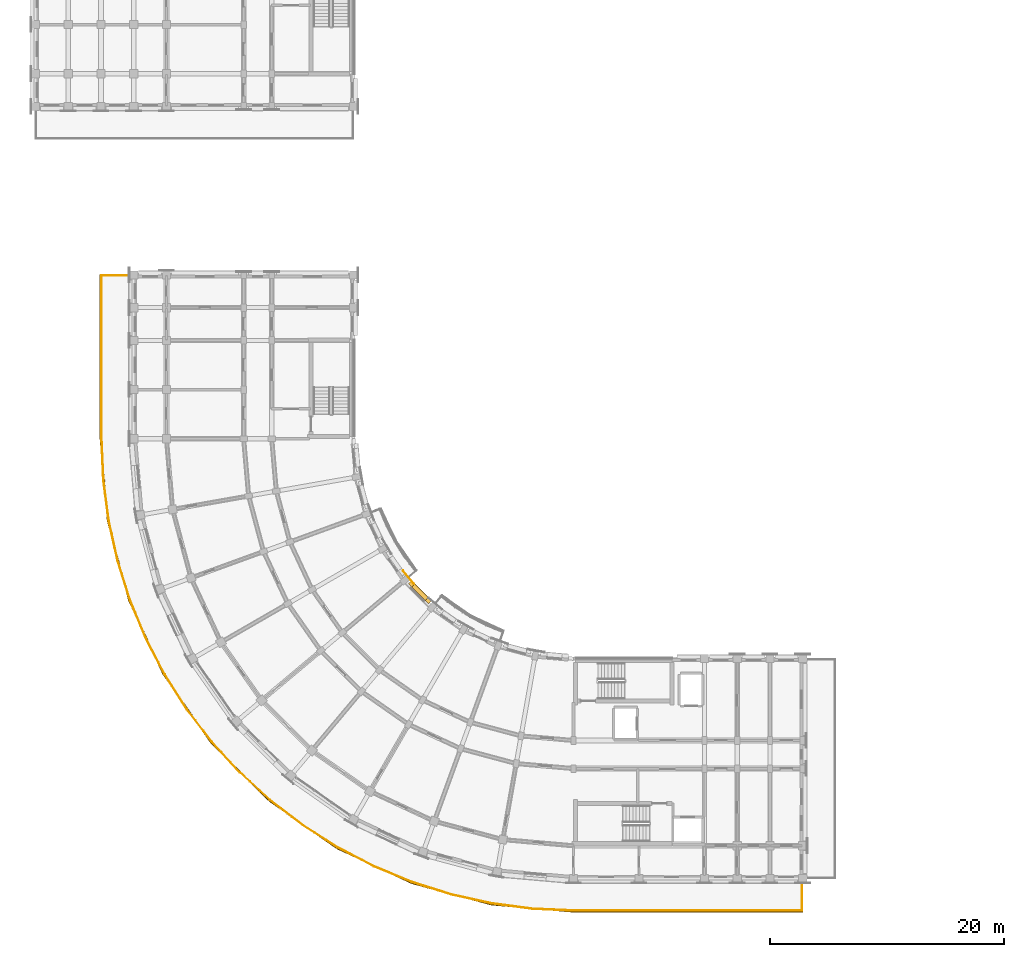
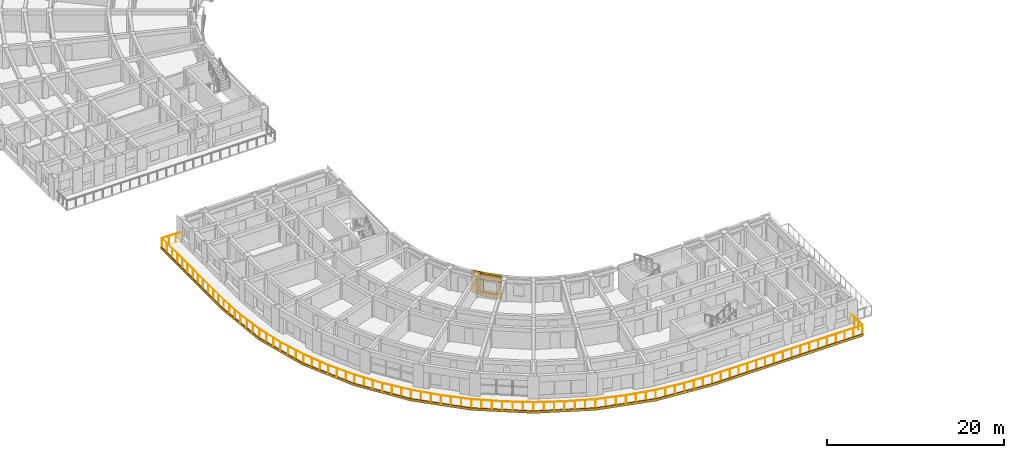
# One storey, part 40 of 54: 6 coverings, 1 railing.
"""IFC4 building model written with IfcOpenShell, lengths in metres."""

from ifc_helpers import new_model, si_unit, direction, frame, origin, origin_2d, place, context, subcontext, project, spatial, polyline, circle, outline, extrude, material, layer, layer_set, type_object, element, save


model = new_model("IFC4")

# Units and contexts
model_context = context("Model", 3, precision=1e-05, world=origin(), true_north=direction((0.0, 1.0)))
body_context = subcontext(model_context, "Body", "Model", "MODEL_VIEW")
ifc_project = project(units=[si_unit("LENGTHUNIT", "METRE"), si_unit("AREAUNIT", "SQUARE_METRE"), si_unit("VOLUMEUNIT", "CUBIC_METRE"), si_unit("PLANEANGLEUNIT", "RADIAN"), si_unit("MASSUNIT", "GRAM", prefix="KILO")], contexts=[model_context])

# Site, building, storey
site_placement = place(None, origin())
site = spatial("IfcSite", under=ifc_project, at=site_placement, CompositionType="ELEMENT")
building_placement = place(site_placement, origin())
building = spatial("IfcBuilding", under=site, at=building_placement, Name="Kiranvali Square Residences", CompositionType="ELEMENT")
storey_placement = place(building_placement, frame((0.0, 0.0, 27.60009765625)))
storey = spatial("IfcBuildingStorey", under=building, at=storey_placement, Name="L08", CompositionType="ELEMENT", Elevation=27.60009765625)

# Coverings
ifc_material_1 = material(Name="Carved Porbandar limestone classical entablature and cornice", Category="masonry")
ifc_layer_1 = layer(ifc_material_1, 0.449951171875)
ifc_layer_set_1 = layer_set([ifc_layer_1], Name="Carved Porbandar limestone classical entablature and cornice")
covering_type_1 = type_object("IfcCoveringType", Name="COV-CLAD-CORN", PredefinedType="CLADDING", material=ifc_layer_set_1)
covering_1_placement = place(storey_placement, frame((0.0, 0.0, -0.280029296875)))
element("IfcCovering", 1, at=covering_1_placement, inside=storey, type_object=covering_type_1, Name="Block C L08 stepped curved terrace stone cornice band", PredefinedType="CLADDING", context=body_context, shape_type="SweptSolid", body=[
    extrude(outline(polyline([(67.800048828125, 7.798095703125), (48.199951171875, 7.798095703125), (41.184326171875, 8.411865234375), (34.381591796875, 10.234619140625), (27.9990234375, 13.2109375), (22.22998046875, 17.250244140625), (17.250244140625, 22.22998046875), (13.2109375, 27.9990234375), (10.234619140625, 34.381591796875), (8.411865234375, 41.184326171875), (7.798095703125, 48.199951171875), (7.798095703125, 62.199951171875), (7.715087890625, 62.199951171875), (7.715087890625, 48.199951171875), (8.330078125, 41.169921875), (10.156494140625, 34.353271484375), (13.138916015625, 27.95751953125), (17.186767578125, 22.1767578125), (22.1767578125, 17.186767578125), (27.95751953125, 13.138916015625), (34.353271484375, 10.156494140625), (41.169921875, 8.330078125), (48.199951171875, 7.715087890625), (67.800048828125, 7.715087890625), (67.800048828125, 7.798095703125)])), origin(), (0.0, 0.0, 1.0), 0.35986328125),
])
ifc_material_2 = material(Name="Honed Porbandar limestone ashlar facade cladding", Category="masonry")
ifc_layer_2 = layer(ifc_material_2, 0.3798828125)
ifc_layer_set_2 = layer_set([ifc_layer_2], Name="Honed Porbandar limestone ashlar facade cladding")
covering_type_2 = type_object("IfcCoveringType", Name="COV-CLAD-JAMB", PredefinedType="CLADDING", material=ifc_layer_set_2)
covering_2_placement = place(storey_placement, frame((0.0, 0.0, 0.671875)))
element("IfcCovering", 2, at=covering_2_placement, inside=storey, type_object=covering_type_2, Name="L08 deep limestone window jamb reveal C-L08-GDN-04.L", PredefinedType="CLADDING", context=body_context, shape_type="SweptSolid", body=[
    extrude(outline(polyline([(36.044921875, 34.349853515625), (35.78076171875, 34.614013671875), (35.540771484375, 34.3740234375), (35.804931640625, 34.10986328125), (36.044921875, 34.349853515625)])), origin(), (0.0, 0.0, 1.0), 1.60009765625),
])
covering_3_placement = place(storey_placement, frame((0.0, 0.0, 0.671875)))
element("IfcCovering", 3, at=covering_3_placement, inside=storey, type_object=covering_type_2, Name="L08 deep limestone window jamb reveal C-L08-GDN-04.R", PredefinedType="CLADDING", context=body_context, shape_type="SweptSolid", body=[
    extrude(outline(polyline([(34.614013671875, 35.78076171875), (34.349853515625, 36.044921875), (34.10986328125, 35.804931640625), (34.3740234375, 35.540771484375), (34.614013671875, 35.78076171875)])), origin(), (0.0, 0.0, 1.0), 1.60009765625),
])
ifc_layer_3 = layer(ifc_material_2, 0.050048828125)
ifc_layer_set_3 = layer_set([ifc_layer_3], Name="Honed Porbandar limestone ashlar facade cladding")
covering_type_3 = type_object("IfcCoveringType", Name="COV-CLAD-PIER-IN", PredefinedType="CLADDING", material=ifc_layer_set_3)
covering_4_placement = place(storey_placement, frame((0.0, 0.0, 0.0048828125)))
element("IfcCovering", 4, at=covering_4_placement, inside=storey, type_object=covering_type_3, Name="L08 Classical garden courtyard pilaster CLAD-PRIN-C-L08-A05", PredefinedType="CLADDING", context=body_context, shape_type="SweptSolid", body=[
    extrude(outline(polyline([(34.6005859375, 35.809814453125), (33.636474609375, 36.958740234375), (33.584716796875, 36.91552734375), (34.548828125, 35.766357421875), (34.6005859375, 35.809814453125)])), origin(), (0.0, 0.0, 1.0), 3.14013671875),
])
ifc_layer_4 = layer(ifc_material_2, 0.360107421875)
ifc_layer_set_4 = layer_set([ifc_layer_4], Name="Honed Porbandar limestone ashlar facade cladding")
covering_type_4 = type_object("IfcCoveringType", Name="COV-CLAD-WALL", PredefinedType="CLADDING", material=ifc_layer_set_4)
covering_5_placement = place(storey_placement, frame((0.0, 0.0, 2.27197265625)))
element("IfcCovering", 5, at=covering_5_placement, inside=storey, type_object=covering_type_4, Name="L08 light limestone spandrel lintel C-L08-GDN-04", PredefinedType="CLADDING", context=body_context, shape_type="SweptSolid", body=[
    extrude(outline(polyline([(36.044921875, 34.349853515625), (34.349853515625, 36.044921875), (34.10986328125, 35.804931640625), (35.804931640625, 34.10986328125), (36.044921875, 34.349853515625)])), origin(), (0.0, 0.0, 1.0), 0.873046875),
])
ifc_layer_5 = layer(ifc_material_2, 0.2900390625)
ifc_layer_set_5 = layer_set([ifc_layer_5], Name="Honed Porbandar limestone ashlar facade cladding")
covering_type_5 = type_object("IfcCoveringType", Name="COV-CLAD-WALL-IN", PredefinedType="CLADDING", material=ifc_layer_set_5)
covering_6_placement = place(storey_placement, frame((0.0, 0.0, 0.0048828125)))
element("IfcCovering", 6, at=covering_6_placement, inside=storey, type_object=covering_type_5, Name="L08 limestone window sill apron C-L08-GDN-04", PredefinedType="CLADDING", context=body_context, shape_type="SweptSolid", body=[
    extrude(outline(polyline([(36.066162109375, 34.37109375), (34.37109375, 36.066162109375), (34.10986328125, 35.804931640625), (35.804931640625, 34.10986328125), (36.066162109375, 34.37109375)])), origin(), (0.0, 0.0, 1.0), 0.6669921875),
])

# Railing
ifc_material_3 = material(Name="Powder-coated architectural bronze balustrade", Category="steel")
railing_type = type_object("IfcRailingType", Name="RL-TER-GOLD-1200", PredefinedType="BALUSTRADE", material=ifc_material_3)
railing_placement = place(storey_placement, frame((67.75, 10.56005859375, 0.0)))
element("IfcRailing", 7, at=railing_placement, inside=storey, type_object=railing_type, Name="Block C L08 stepped curved corner terrace gold balustrade", PredefinedType="BALUSTRADE", context=body_context, shape_type="SweptSolid", body=[
    extrude(circle(Radius=0.02392578125, at=origin_2d()), frame((0.0, 0.0, 1.17578125), z_axis=(0.0, -1.0, 0.0), x_axis=(1.0, 0.0, 0.0)), (0.0, 0.0, 1.0), 2.699951171875),
    extrude(circle(Radius=0.02392578125, at=origin_2d()), frame((0.0, -2.699951171875, 1.17578125), z_axis=(-1.0, 0.0, 0.0), x_axis=(0.0, -1.0, 0.0)), (0.0, 0.0, 1.0), 19.550048828125),
    extrude(circle(Radius=0.02392578125, at=origin_2d()), frame((-19.550048828125, -2.699951171875, 1.17578125), z_axis=(-0.999050521536, 0.043566677837, 0.0), x_axis=(-0.043566677837, -0.999050521536, 0.0)), (0.0, 0.0, 1.0), 3.519287109375),
    extrude(circle(Radius=0.02392578125, at=origin_2d()), frame((-23.06591796875, -2.546630859375, 1.17578125), z_axis=(-0.991439885542, 0.130563981848, 0.0), x_axis=(-0.130563981848, -0.991439885542, 0.0)), (0.0, 0.0, 1.0), 3.51904296875),
    extrude(circle(Radius=0.02392578125, at=origin_2d()), frame((-26.554931640625, -2.087158203125, 1.17578125), z_axis=(-0.976294672922, 0.216445632027, 0.0), x_axis=(-0.216445632027, -0.976294672922, 0.0)), (0.0, 0.0, 1.0), 3.519287109375),
    extrude(circle(Radius=0.02392578125, at=origin_2d()), frame((-29.99072265625, -1.325439453125, 1.17578125), z_axis=(-0.95373142835, 0.300659878562, 0.0), x_axis=(-0.300659878562, -0.95373142835, 0.0)), (0.0, 0.0, 1.0), 3.519287109375),
    extrude(circle(Radius=0.02392578125, at=origin_2d()), frame((-33.34716796875, -0.267333984375, 1.17578125), z_axis=(-0.923857014911, 0.382737790138, 0.0), x_axis=(-0.382737790138, -0.923857014911, 0.0)), (0.0, 0.0, 1.0), 3.519287109375),
    extrude(circle(Radius=0.02392578125, at=origin_2d()), frame((-36.598388671875, 1.07958984375, 1.17578125), z_axis=(-0.887009989526, 0.461750233872, 0.0), x_axis=(-0.461750233872, -0.887009989526, 0.0)), (0.0, 0.0, 1.0), 3.519287109375),
    extrude(circle(Radius=0.02392578125, at=origin_2d()), frame((-39.719970703125, 2.70458984375, 1.17578125), z_axis=(-0.843387143915, 0.537306360913, 0.0), x_axis=(-0.537306360913, -0.843387143915, 0.0)), (0.0, 0.0, 1.0), 3.51904296875),
    extrude(circle(Radius=0.02392578125, at=origin_2d()), frame((-42.68798828125, 4.595458984375, 1.17578125), z_axis=(-0.793358414071, 0.608754816673, 0.0), x_axis=(-0.608754816673, -0.793358414071, 0.0)), (0.0, 0.0, 1.0), 3.519287109375),
    extrude(circle(Radius=0.02392578125, at=origin_2d()), frame((-45.47998046875, 6.73779296875, 1.17578125), z_axis=(-0.737303864614, 0.675561256456, 0.0), x_axis=(-0.675561256456, -0.737303864614, 0.0)), (0.0, 0.0, 1.0), 3.519287109375),
    extrude(circle(Radius=0.02392578125, at=origin_2d()), frame((-48.07470703125, 9.115234375, 1.17578125), z_axis=(-0.675561256456, 0.737303864614, 0.0), x_axis=(-0.737303864614, -0.675561256456, 0.0)), (0.0, 0.0, 1.0), 3.519287109375),
    extrude(circle(Radius=0.02392578125, at=origin_2d()), frame((-50.4521484375, 11.7099609375, 1.17578125), z_axis=(-0.608754816673, 0.793358414071, 0.0), x_axis=(-0.793358414071, -0.608754816673, 0.0)), (0.0, 0.0, 1.0), 3.519287109375),
    extrude(circle(Radius=0.02392578125, at=origin_2d()), frame((-52.594482421875, 14.501953125, 1.17578125), z_axis=(-0.537306360913, 0.843387143915, 0.0), x_axis=(-0.843387143915, -0.537306360913, 0.0)), (0.0, 0.0, 1.0), 3.51904296875),
    extrude(circle(Radius=0.02392578125, at=origin_2d()), frame((-54.4853515625, 17.469970703125, 1.17578125), z_axis=(-0.461750233872, 0.887009989526, 0.0), x_axis=(-0.887009989526, -0.461750233872, 0.0)), (0.0, 0.0, 1.0), 3.519287109375),
    extrude(circle(Radius=0.02392578125, at=origin_2d()), frame((-56.1103515625, 20.591552734375, 1.17578125), z_axis=(-0.382737790138, 0.923857014911, 0.0), x_axis=(-0.923857014911, -0.382737790138, 0.0)), (0.0, 0.0, 1.0), 3.519287109375),
    extrude(circle(Radius=0.02392578125, at=origin_2d()), frame((-57.457275390625, 23.8427734375, 1.17578125), z_axis=(-0.300659878562, 0.95373142835, 0.0), x_axis=(-0.95373142835, -0.300659878562, 0.0)), (0.0, 0.0, 1.0), 3.519287109375),
    extrude(circle(Radius=0.02392578125, at=origin_2d()), frame((-58.515380859375, 27.19921875, 1.17578125), z_axis=(-0.216445632027, 0.976294672922, 0.0), x_axis=(-0.976294672922, -0.216445632027, 0.0)), (0.0, 0.0, 1.0), 3.519287109375),
    extrude(circle(Radius=0.02392578125, at=origin_2d()), frame((-59.277099609375, 30.635009765625, 1.17578125), z_axis=(-0.130563981848, 0.991439885542, 0.0), x_axis=(-0.991439885542, -0.130563981848, 0.0)), (0.0, 0.0, 1.0), 3.51904296875),
    extrude(circle(Radius=0.02392578125, at=origin_2d()), frame((-59.736572265625, 34.1240234375, 1.17578125), z_axis=(-0.043566677837, 0.999050521536, 0.0), x_axis=(-0.999050521536, -0.043566677837, 0.0)), (0.0, 0.0, 1.0), 3.519287109375),
    extrude(circle(Radius=0.02392578125, at=origin_2d()), frame((-59.889892578125, 37.639892578125, 1.17578125), z_axis=(0.0, 1.0, 0.0), x_axis=(-1.0, 0.0, 0.0)), (0.0, 0.0, 1.0), 13.949951171875),
    extrude(circle(Radius=0.02392578125, at=origin_2d()), frame((-59.889892578125, 51.58984375, 1.17578125), z_axis=(1.0, 0.0, 0.0), x_axis=(0.0, 1.0, 0.0)), (0.0, 0.0, 1.0), 2.699951171875),
    extrude(circle(Radius=0.02099609375, at=origin_2d()), origin(), (0.0, 0.0, 1.0), 1.15185546875),
    extrude(circle(Radius=0.02099609375, at=origin_2d()), frame((0.0, -0.89990234375, 0.0)), (0.0, 0.0, 1.0), 1.15185546875),
    extrude(circle(Radius=0.02099609375, at=origin_2d()), frame((0.0, -1.800048828125, 0.0)), (0.0, 0.0, 1.0), 1.15185546875),
    extrude(circle(Radius=0.02099609375, at=origin_2d()), frame((0.0, -2.699951171875, 0.0)), (0.0, 0.0, 1.0), 1.15185546875),
    extrude(circle(Radius=0.02099609375, at=origin_2d()), frame((-1.14990234375, -2.699951171875, 0.0)), (0.0, 0.0, 1.0), 1.15185546875),
    extrude(circle(Radius=0.02099609375, at=origin_2d()), frame((-2.300048828125, -2.699951171875, 0.0)), (0.0, 0.0, 1.0), 1.15185546875),
    extrude(circle(Radius=0.02099609375, at=origin_2d()), frame((-3.449951171875, -2.699951171875, 0.0)), (0.0, 0.0, 1.0), 1.15185546875),
    extrude(circle(Radius=0.02099609375, at=origin_2d()), frame((-4.60009765625, -2.699951171875, 0.0)), (0.0, 0.0, 1.0), 1.15185546875),
    extrude(circle(Radius=0.02099609375, at=origin_2d()), frame((-5.75, -2.699951171875, 0.0)), (0.0, 0.0, 1.0), 1.15185546875),
    extrude(circle(Radius=0.02099609375, at=origin_2d()), frame((-6.89990234375, -2.699951171875, 0.0)), (0.0, 0.0, 1.0), 1.15185546875),
    extrude(circle(Radius=0.02099609375, at=origin_2d()), frame((-8.050048828125, -2.699951171875, 0.0)), (0.0, 0.0, 1.0), 1.15185546875),
    extrude(circle(Radius=0.02099609375, at=origin_2d()), frame((-9.199951171875, -2.699951171875, 0.0)), (0.0, 0.0, 1.0), 1.15185546875),
    extrude(circle(Radius=0.02099609375, at=origin_2d()), frame((-10.35009765625, -2.699951171875, 0.0)), (0.0, 0.0, 1.0), 1.15185546875),
    extrude(circle(Radius=0.02099609375, at=origin_2d()), frame((-11.5, -2.699951171875, 0.0)), (0.0, 0.0, 1.0), 1.15185546875),
    extrude(circle(Radius=0.02099609375, at=origin_2d()), frame((-12.650146484375, -2.699951171875, 0.0)), (0.0, 0.0, 1.0), 1.15185546875),
    extrude(circle(Radius=0.02099609375, at=origin_2d()), frame((-13.800048828125, -2.699951171875, 0.0)), (0.0, 0.0, 1.0), 1.15185546875),
    extrude(circle(Radius=0.02099609375, at=origin_2d()), frame((-14.949951171875, -2.699951171875, 0.0)), (0.0, 0.0, 1.0), 1.15185546875),
    extrude(circle(Radius=0.02099609375, at=origin_2d()), frame((-16.10009765625, -2.699951171875, 0.0)), (0.0, 0.0, 1.0), 1.15185546875),
    extrude(circle(Radius=0.02099609375, at=origin_2d()), frame((-17.25, -2.699951171875, 0.0)), (0.0, 0.0, 1.0), 1.15185546875),
    extrude(circle(Radius=0.02099609375, at=origin_2d()), frame((-18.400146484375, -2.699951171875, 0.0)), (0.0, 0.0, 1.0), 1.15185546875),
    extrude(circle(Radius=0.02099609375, at=origin_2d()), frame((-19.550048828125, -2.699951171875, 0.0)), (0.0, 0.0, 1.0), 1.15185546875),
    extrude(circle(Radius=0.02099609375, at=origin_2d()), frame((-20.721923828125, -2.64892578125, 0.0)), (0.0, 0.0, 1.0), 1.15185546875),
    extrude(circle(Radius=0.02099609375, at=origin_2d()), frame((-21.89404296875, -2.59765625, 0.0)), (0.0, 0.0, 1.0), 1.15185546875),
    extrude(circle(Radius=0.02099609375, at=origin_2d()), frame((-23.06591796875, -2.546630859375, 0.0)), (0.0, 0.0, 1.0), 1.15185546875),
    extrude(circle(Radius=0.02099609375, at=origin_2d()), frame((-24.22900390625, -2.3935546875, 0.0)), (0.0, 0.0, 1.0), 1.15185546875),
    extrude(circle(Radius=0.02099609375, at=origin_2d()), frame((-25.391845703125, -2.240234375, 0.0)), (0.0, 0.0, 1.0), 1.15185546875),
    extrude(circle(Radius=0.02099609375, at=origin_2d()), frame((-26.554931640625, -2.087158203125, 0.0)), (0.0, 0.0, 1.0), 1.15185546875),
    extrude(circle(Radius=0.02099609375, at=origin_2d()), frame((-27.7001953125, -1.833251953125, 0.0)), (0.0, 0.0, 1.0), 1.15185546875),
    extrude(circle(Radius=0.02099609375, at=origin_2d()), frame((-28.845458984375, -1.579345703125, 0.0)), (0.0, 0.0, 1.0), 1.15185546875),
    extrude(circle(Radius=0.02099609375, at=origin_2d()), frame((-29.99072265625, -1.325439453125, 0.0)), (0.0, 0.0, 1.0), 1.15185546875),
    extrude(circle(Radius=0.02099609375, at=origin_2d()), frame((-31.109619140625, -0.97265625, 0.0)), (0.0, 0.0, 1.0), 1.15185546875),
    extrude(circle(Radius=0.02099609375, at=origin_2d()), frame((-32.228271484375, -0.6201171875, 0.0)), (0.0, 0.0, 1.0), 1.15185546875),
    extrude(circle(Radius=0.02099609375, at=origin_2d()), frame((-33.34716796875, -0.267333984375, 0.0)), (0.0, 0.0, 1.0), 1.15185546875),
    extrude(circle(Radius=0.02099609375, at=origin_2d()), frame((-34.430908203125, 0.181640625, 0.0)), (0.0, 0.0, 1.0), 1.15185546875),
    extrude(circle(Radius=0.02099609375, at=origin_2d()), frame((-35.5146484375, 0.630615234375, 0.0)), (0.0, 0.0, 1.0), 1.15185546875),
    extrude(circle(Radius=0.02099609375, at=origin_2d()), frame((-36.598388671875, 1.07958984375, 0.0)), (0.0, 0.0, 1.0), 1.15185546875),
    extrude(circle(Radius=0.02099609375, at=origin_2d()), frame((-37.638916015625, 1.621337890625, 0.0)), (0.0, 0.0, 1.0), 1.15185546875),
    extrude(circle(Radius=0.02099609375, at=origin_2d()), frame((-38.679443359375, 2.162841796875, 0.0)), (0.0, 0.0, 1.0), 1.15185546875),
    extrude(circle(Radius=0.02099609375, at=origin_2d()), frame((-39.719970703125, 2.70458984375, 0.0)), (0.0, 0.0, 1.0), 1.15185546875),
    extrude(circle(Radius=0.02099609375, at=origin_2d()), frame((-40.709228515625, 3.3349609375, 0.0)), (0.0, 0.0, 1.0), 1.15185546875),
    extrude(circle(Radius=0.02099609375, at=origin_2d()), frame((-41.69873046875, 3.965087890625, 0.0)), (0.0, 0.0, 1.0), 1.15185546875),
    extrude(circle(Radius=0.02099609375, at=origin_2d()), frame((-42.68798828125, 4.595458984375, 0.0)), (0.0, 0.0, 1.0), 1.15185546875),
    extrude(circle(Radius=0.02099609375, at=origin_2d()), frame((-43.61865234375, 5.3095703125, 0.0)), (0.0, 0.0, 1.0), 1.15185546875),
    extrude(circle(Radius=0.02099609375, at=origin_2d()), frame((-44.54931640625, 6.023681640625, 0.0)), (0.0, 0.0, 1.0), 1.15185546875),
    extrude(circle(Radius=0.02099609375, at=origin_2d()), frame((-45.47998046875, 6.73779296875, 0.0)), (0.0, 0.0, 1.0), 1.15185546875),
    extrude(circle(Radius=0.02099609375, at=origin_2d()), frame((-46.344970703125, 7.5302734375, 0.0)), (0.0, 0.0, 1.0), 1.15185546875),
    extrude(circle(Radius=0.02099609375, at=origin_2d()), frame((-47.209716796875, 8.32275390625, 0.0)), (0.0, 0.0, 1.0), 1.15185546875),
    extrude(circle(Radius=0.02099609375, at=origin_2d()), frame((-48.07470703125, 9.115234375, 0.0)), (0.0, 0.0, 1.0), 1.15185546875),
    extrude(circle(Radius=0.02099609375, at=origin_2d()), frame((-48.8671875, 9.980224609375, 0.0)), (0.0, 0.0, 1.0), 1.15185546875),
    extrude(circle(Radius=0.02099609375, at=origin_2d()), frame((-49.65966796875, 10.844970703125, 0.0)), (0.0, 0.0, 1.0), 1.15185546875),
    extrude(circle(Radius=0.02099609375, at=origin_2d()), frame((-50.4521484375, 11.7099609375, 0.0)), (0.0, 0.0, 1.0), 1.15185546875),
    extrude(circle(Radius=0.02099609375, at=origin_2d()), frame((-51.166259765625, 12.640625, 0.0)), (0.0, 0.0, 1.0), 1.15185546875),
    extrude(circle(Radius=0.02099609375, at=origin_2d()), frame((-51.88037109375, 13.5712890625, 0.0)), (0.0, 0.0, 1.0), 1.15185546875),
    extrude(circle(Radius=0.02099609375, at=origin_2d()), frame((-52.594482421875, 14.501953125, 0.0)), (0.0, 0.0, 1.0), 1.15185546875),
    extrude(circle(Radius=0.02099609375, at=origin_2d()), frame((-53.224853515625, 15.4912109375, 0.0)), (0.0, 0.0, 1.0), 1.15185546875),
    extrude(circle(Radius=0.02099609375, at=origin_2d()), frame((-53.85498046875, 16.480712890625, 0.0)), (0.0, 0.0, 1.0), 1.15185546875),
    extrude(circle(Radius=0.02099609375, at=origin_2d()), frame((-54.4853515625, 17.469970703125, 0.0)), (0.0, 0.0, 1.0), 1.15185546875),
    extrude(circle(Radius=0.02099609375, at=origin_2d()), frame((-55.027099609375, 18.510498046875, 0.0)), (0.0, 0.0, 1.0), 1.15185546875),
    extrude(circle(Radius=0.02099609375, at=origin_2d()), frame((-55.568603515625, 19.551025390625, 0.0)), (0.0, 0.0, 1.0), 1.15185546875),
    extrude(circle(Radius=0.02099609375, at=origin_2d()), frame((-56.1103515625, 20.591552734375, 0.0)), (0.0, 0.0, 1.0), 1.15185546875),
    extrude(circle(Radius=0.02099609375, at=origin_2d()), frame((-56.559326171875, 21.67529296875, 0.0)), (0.0, 0.0, 1.0), 1.15185546875),
    extrude(circle(Radius=0.02099609375, at=origin_2d()), frame((-57.00830078125, 22.759033203125, 0.0)), (0.0, 0.0, 1.0), 1.15185546875),
    extrude(circle(Radius=0.02099609375, at=origin_2d()), frame((-57.457275390625, 23.8427734375, 0.0)), (0.0, 0.0, 1.0), 1.15185546875),
    extrude(circle(Radius=0.02099609375, at=origin_2d()), frame((-57.81005859375, 24.961669921875, 0.0)), (0.0, 0.0, 1.0), 1.15185546875),
    extrude(circle(Radius=0.02099609375, at=origin_2d()), frame((-58.16259765625, 26.080322265625, 0.0)), (0.0, 0.0, 1.0), 1.15185546875),
    extrude(circle(Radius=0.02099609375, at=origin_2d()), frame((-58.515380859375, 27.19921875, 0.0)), (0.0, 0.0, 1.0), 1.15185546875),
    extrude(circle(Radius=0.02099609375, at=origin_2d()), frame((-58.769287109375, 28.344482421875, 0.0)), (0.0, 0.0, 1.0), 1.15185546875),
    extrude(circle(Radius=0.02099609375, at=origin_2d()), frame((-59.023193359375, 29.48974609375, 0.0)), (0.0, 0.0, 1.0), 1.15185546875),
    extrude(circle(Radius=0.02099609375, at=origin_2d()), frame((-59.277099609375, 30.635009765625, 0.0)), (0.0, 0.0, 1.0), 1.15185546875),
    extrude(circle(Radius=0.02099609375, at=origin_2d()), frame((-59.43017578125, 31.798095703125, 0.0)), (0.0, 0.0, 1.0), 1.15185546875),
    extrude(circle(Radius=0.02099609375, at=origin_2d()), frame((-59.58349609375, 32.9609375, 0.0)), (0.0, 0.0, 1.0), 1.15185546875),
    extrude(circle(Radius=0.02099609375, at=origin_2d()), frame((-59.736572265625, 34.1240234375, 0.0)), (0.0, 0.0, 1.0), 1.15185546875),
    extrude(circle(Radius=0.02099609375, at=origin_2d()), frame((-59.78759765625, 35.2958984375, 0.0)), (0.0, 0.0, 1.0), 1.15185546875),
    extrude(circle(Radius=0.02099609375, at=origin_2d()), frame((-59.8388671875, 36.468017578125, 0.0)), (0.0, 0.0, 1.0), 1.15185546875),
    extrude(circle(Radius=0.02099609375, at=origin_2d()), frame((-59.889892578125, 37.639892578125, 0.0)), (0.0, 0.0, 1.0), 1.15185546875),
    extrude(circle(Radius=0.02099609375, at=origin_2d()), frame((-59.889892578125, 38.802490234375, 0.0)), (0.0, 0.0, 1.0), 1.15185546875),
    extrude(circle(Radius=0.02099609375, at=origin_2d()), frame((-59.889892578125, 39.96484375, 0.0)), (0.0, 0.0, 1.0), 1.15185546875),
    extrude(circle(Radius=0.02099609375, at=origin_2d()), frame((-59.889892578125, 41.12744140625, 0.0)), (0.0, 0.0, 1.0), 1.15185546875),
    extrude(circle(Radius=0.02099609375, at=origin_2d()), frame((-59.889892578125, 42.289794921875, 0.0)), (0.0, 0.0, 1.0), 1.15185546875),
    extrude(circle(Radius=0.02099609375, at=origin_2d()), frame((-59.889892578125, 43.452392578125, 0.0)), (0.0, 0.0, 1.0), 1.15185546875),
    extrude(circle(Radius=0.02099609375, at=origin_2d()), frame((-59.889892578125, 44.61474609375, 0.0)), (0.0, 0.0, 1.0), 1.15185546875),
    extrude(circle(Radius=0.02099609375, at=origin_2d()), frame((-59.889892578125, 45.77734375, 0.0)), (0.0, 0.0, 1.0), 1.15185546875),
    extrude(circle(Radius=0.02099609375, at=origin_2d()), frame((-59.889892578125, 46.93994140625, 0.0)), (0.0, 0.0, 1.0), 1.15185546875),
    extrude(circle(Radius=0.02099609375, at=origin_2d()), frame((-59.889892578125, 48.102294921875, 0.0)), (0.0, 0.0, 1.0), 1.15185546875),
    extrude(circle(Radius=0.02099609375, at=origin_2d()), frame((-59.889892578125, 49.264892578125, 0.0)), (0.0, 0.0, 1.0), 1.15185546875),
    extrude(circle(Radius=0.02099609375, at=origin_2d()), frame((-59.889892578125, 50.42724609375, 0.0)), (0.0, 0.0, 1.0), 1.15185546875),
    extrude(circle(Radius=0.02099609375, at=origin_2d()), frame((-59.889892578125, 51.58984375, 0.0)), (0.0, 0.0, 1.0), 1.15185546875),
    extrude(circle(Radius=0.02099609375, at=origin_2d()), frame((-58.989990234375, 51.58984375, 0.0)), (0.0, 0.0, 1.0), 1.15185546875),
    extrude(circle(Radius=0.02099609375, at=origin_2d()), frame((-58.08984375, 51.58984375, 0.0)), (0.0, 0.0, 1.0), 1.15185546875),
    extrude(circle(Radius=0.02099609375, at=origin_2d()), frame((-57.18994140625, 51.58984375, 0.0)), (0.0, 0.0, 1.0), 1.15185546875),
])

save(model, "model.ifc")
